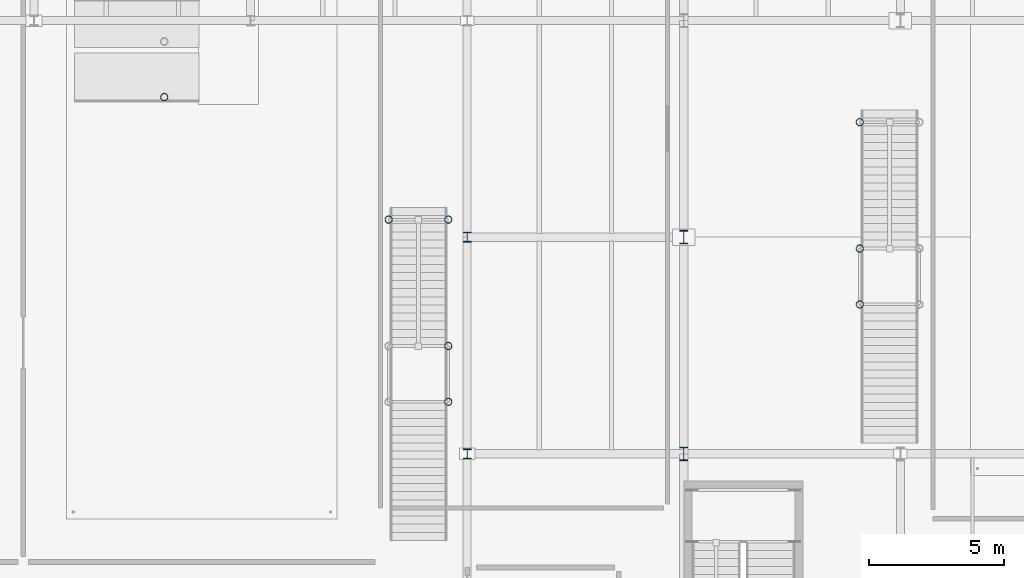
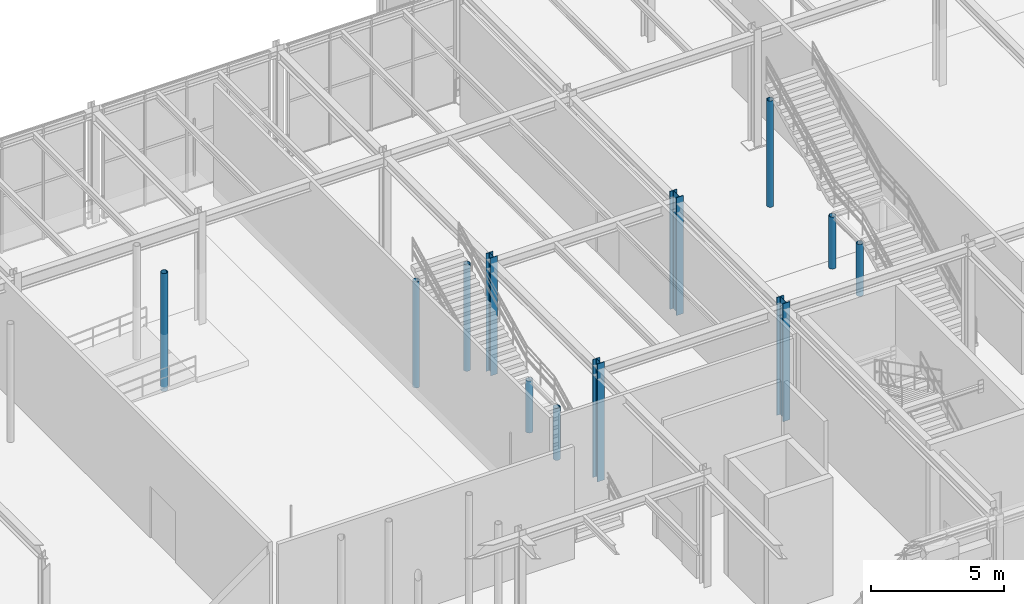
# One storey, part 5 of 129: 12 columns.
"""IFC4 building model written with IfcOpenShell, lengths in metres."""

from ifc_helpers import new_model, si_unit, direction, frame, origin, origin_2d, place, context, subcontext, project, spatial, hollow_circle, i_section, extrude, material, material_profile, profile_set, type_object, element, save


model = new_model("IFC4")

# Units and contexts
model_context = context("Model", 3, precision=1e-05, world=origin(), true_north=direction((0.0, 1.0)))
body_context = subcontext(model_context, "Body", "Model", "MODEL_VIEW")
ifc_project = project(units=[si_unit("LENGTHUNIT", "METRE"), si_unit("AREAUNIT", "SQUARE_METRE"), si_unit("VOLUMEUNIT", "CUBIC_METRE"), si_unit("PLANEANGLEUNIT", "RADIAN"), si_unit("MASSUNIT", "GRAM", prefix="KILO")], contexts=[model_context])

# Site, building, storey
site_placement = place(None, origin())
site = spatial("IfcSite", under=ifc_project, at=site_placement, CompositionType="ELEMENT")
building_placement = place(site_placement, origin())
building = spatial("IfcBuilding", under=site, at=building_placement, Name="Sundkrona Museum", CompositionType="ELEMENT")
storey_placement = place(building_placement, origin())
storey = spatial("IfcBuildingStorey", under=building, at=storey_placement, Name="L00", CompositionType="ELEMENT", Elevation=0.0)

# Columns
ifc_material = material(Name="Steel S355J2", Category="steel")
ifc_material_profile_1 = material_profile(ifc_material, hollow_circle(Radius=0.136474609375, WallThickness=0.012451171875, at=origin_2d()), Name="CHS 273.0x12.5")
ifc_profile_set_1 = profile_set([ifc_material_profile_1], Name="Steel S355J2")
column_type_1 = type_object("IfcColumnType", Name="C-CHS273", PredefinedType="COLUMN", material=ifc_profile_set_1)
for number, where, z_axis, x_axis, name in (
    (1, (111.300048828125, 17.919921875, 0.0), (0.0, 0.0, 1.0), (1.0, 0.0, 0.0), "L00 Feature Stair FS-1 Column S1-1"),
    (2, (111.300048828125, 19.97998046875, 0.0), (0.0, 0.0, 1.0), (1.0, 0.0, 0.0), "L00 Feature Stair FS-1 Column S2-1"),
):
    element("IfcColumn", number, at=place(storey_placement, frame(where, z_axis=z_axis, x_axis=x_axis)), inside=storey, type_object=column_type_1, Name=name, PredefinedType="COLUMN", context=body_context, shape_type="SweptSolid", body=[
        extrude(hollow_circle(Radius=0.136474609375, WallThickness=0.012451171875, at=origin_2d()), origin(), (0.0, 0.0, 1.0), 2.3798828125),
    ])
for number, where, z_axis, x_axis, name in (
    (3, (111.300048828125, 24.64990234375, 0.0), (0.0, 0.0, 1.0), (1.0, 0.0, 0.0), "L00 Feature Stair FS-1 Column S3-1"),
    (4, (109.10009765625, 24.64990234375, 0.0), (0.0, 0.0, 1.0), (1.0, 0.0, 0.0), "L00 Feature Stair FS-1 Column S3-2"),
):
    element("IfcColumn", number, at=place(storey_placement, frame(where, z_axis=z_axis, x_axis=x_axis)), inside=storey, type_object=column_type_1, Name=name, PredefinedType="COLUMN", context=body_context, shape_type="SweptSolid", body=[
        extrude(hollow_circle(Radius=0.136474609375, WallThickness=0.012451171875, at=origin_2d()), origin(), (0.0, 0.0, 1.0), 4.860107421875),
    ])
column_1_placement = place(storey_placement, frame((100.81005859375, 29.175048828125, 0.0), z_axis=(0.0, 0.0, 1.0), x_axis=(1.0, 0.0, 0.0)))
element("IfcColumn", 5, at=column_1_placement, inside=storey, type_object=column_type_1, Name="L00 Feature Stair FS-3 Column S3-1", PredefinedType="COLUMN", context=body_context, shape_type="SweptSolid", body=[
    extrude(hollow_circle(Radius=0.136474609375, WallThickness=0.012451171875, at=origin_2d()), origin(), (0.0, 0.0, 1.0), 5.39990234375),
])
for number, where, z_axis, x_axis, name in (
    (6, (126.5, 21.52001953125, 0.0), (0.0, 0.0, 1.0), (1.0, 0.0, 0.0), "L00 Feature Stair FS-5 Column S1-2"),
    (7, (126.5, 23.580078125, 0.0), (0.0, 0.0, 1.0), (1.0, 0.0, 0.0), "L00 Feature Stair FS-5 Column S2-2"),
):
    element("IfcColumn", number, at=place(storey_placement, frame(where, z_axis=z_axis, x_axis=x_axis)), inside=storey, type_object=column_type_1, Name=name, PredefinedType="COLUMN", context=body_context, shape_type="SweptSolid", body=[
        extrude(hollow_circle(Radius=0.136474609375, WallThickness=0.012451171875, at=origin_2d()), origin(), (0.0, 0.0, 1.0), 2.3798828125),
    ])
column_2_placement = place(storey_placement, frame((126.5, 28.25, 0.0), z_axis=(0.0, 0.0, 1.0), x_axis=(1.0, 0.0, 0.0)))
element("IfcColumn", 8, at=column_2_placement, inside=storey, type_object=column_type_1, Name="L00 Feature Stair FS-5 Column S3-2", PredefinedType="COLUMN", context=body_context, shape_type="SweptSolid", body=[
    extrude(hollow_circle(Radius=0.136474609375, WallThickness=0.012451171875, at=origin_2d()), origin(), (0.0, 0.0, 1.0), 4.860107421875),
])
ifc_material_profile_2 = material_profile(ifc_material, i_section(OverallWidth=0.300048828125, OverallDepth=0.360107421875, WebThickness=0.012451171875, FlangeThickness=0.0224609375, FilletRadius=0.027099609375, at=origin_2d()), Name="HEB 360")
ifc_profile_set_2 = profile_set([ifc_material_profile_2], Name="Steel S355J2")
column_type_2 = type_object("IfcColumnType", Name="C-HEB360", PredefinedType="COLUMN", material=ifc_profile_set_2)
for number, where, z_axis, x_axis, name in (
    (9, (112.0, 16.0, 0.0), (0.0, 0.0, 1.0), (1.0, 0.0, 0.0), "L00 Column C/15"),
    (10, (112.0, 24.0, 0.0), (0.0, 0.0, 1.0), (1.0, 0.0, 0.0), "L00 Column D/15"),
):
    element("IfcColumn", number, at=place(storey_placement, frame(where, z_axis=z_axis, x_axis=x_axis)), inside=storey, type_object=column_type_2, Name=name, PredefinedType="COLUMN", context=body_context, shape_type="SweptSolid", body=[
        extrude(i_section(OverallWidth=0.300048828125, OverallDepth=0.360107421875, WebThickness=0.012451171875, FlangeThickness=0.0224609375, FilletRadius=0.027099609375, at=origin_2d()), origin(), (0.0, 0.0, 1.0), 5.39990234375),
    ])
ifc_material_profile_3 = material_profile(ifc_material, i_section(OverallWidth=0.300048828125, OverallDepth=0.5, WebThickness=0.014404296875, FlangeThickness=0.028076171875, FilletRadius=0.027099609375, at=origin_2d()), Name="HEB 500")
ifc_profile_set_3 = profile_set([ifc_material_profile_3], Name="Steel S355J2")
column_type_3 = type_object("IfcColumnType", Name="C-HEB500", PredefinedType="COLUMN", material=ifc_profile_set_3)
for number, where, z_axis, x_axis, name in (
    (11, (120.0, 16.0, 0.0), (0.0, 0.0, 1.0), (1.0, 0.0, 0.0), "L00 Column C/16"),
    (12, (120.0, 24.0, 0.0), (0.0, 0.0, 1.0), (1.0, 0.0, 0.0), "L00 Column D/16"),
):
    element("IfcColumn", number, at=place(storey_placement, frame(where, z_axis=z_axis, x_axis=x_axis)), inside=storey, type_object=column_type_3, Name=name, PredefinedType="COLUMN", context=body_context, shape_type="SweptSolid", body=[
        extrude(i_section(OverallWidth=0.300048828125, OverallDepth=0.5, WebThickness=0.014404296875, FlangeThickness=0.028076171875, FilletRadius=0.027099609375, at=origin_2d()), origin(), (0.0, 0.0, 1.0), 5.39990234375),
    ])

save(model, "model.ifc")
